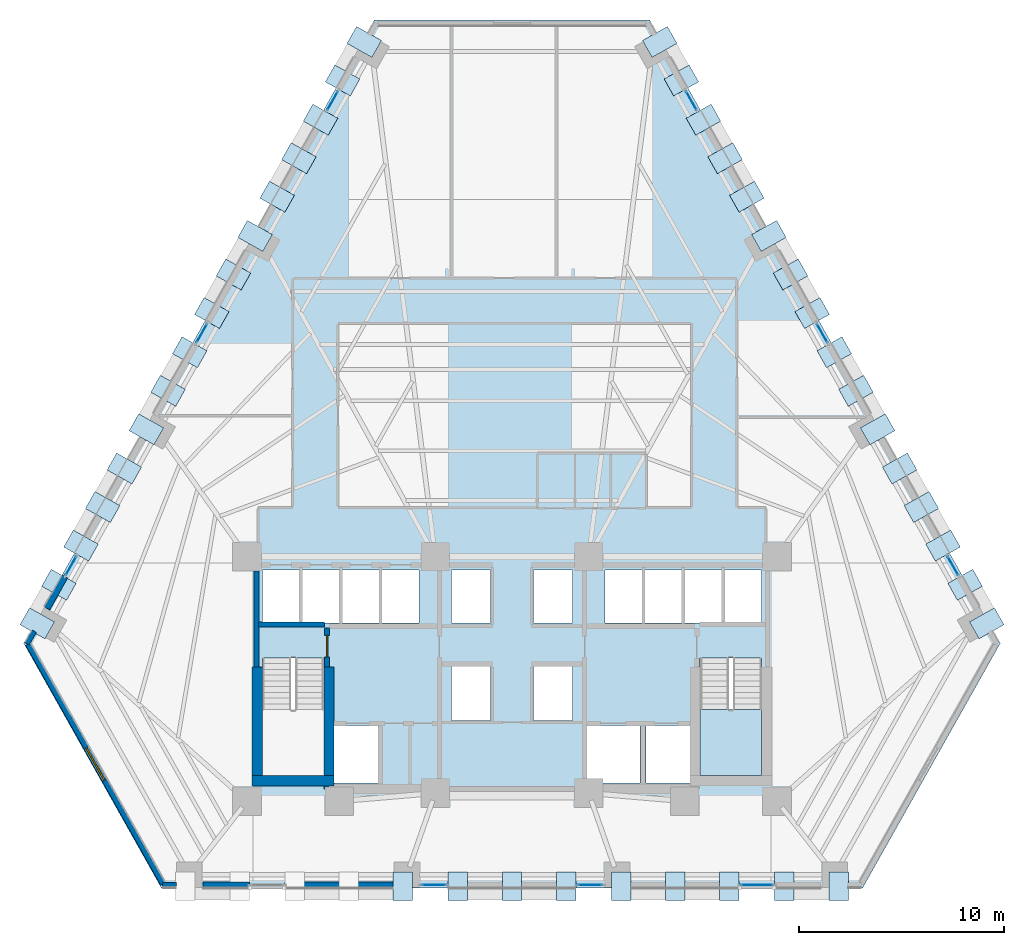
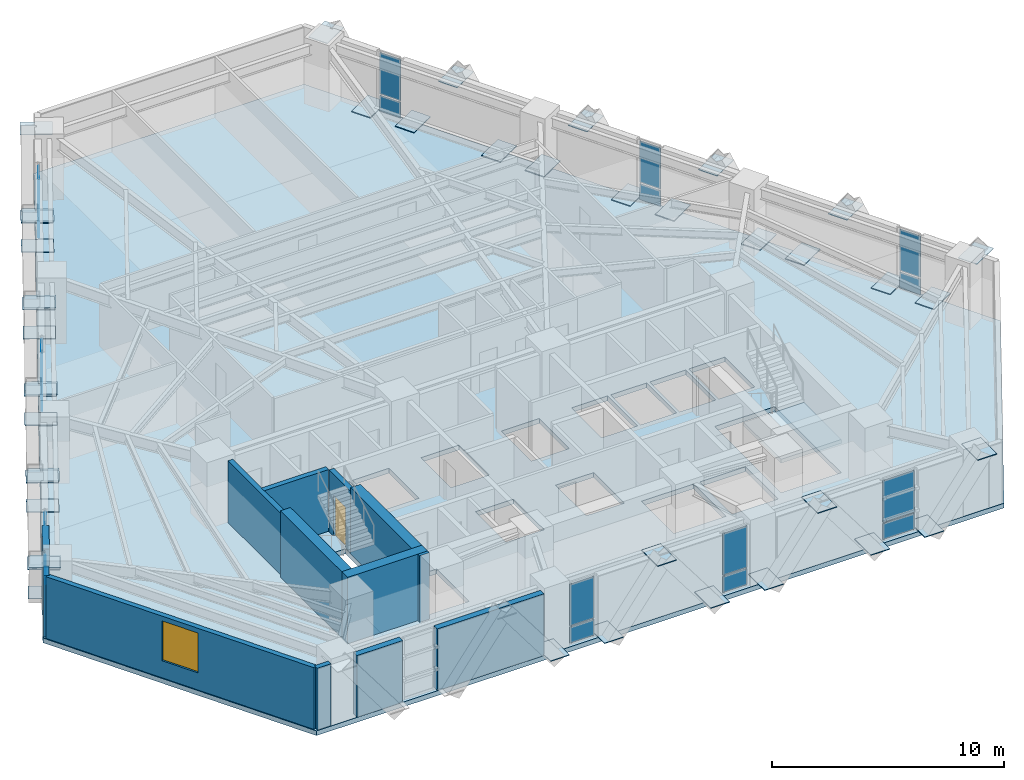
# One storey, part 6 of 13: 59 plates, 12 walls, 2 slabs, 1 door, 1 window, 2 openings, 10 elements without a shape of their own.
"""IFC4 building model written with IfcOpenShell, lengths in metres."""

from ifc_helpers import new_model, si_unit, direction, frame, frame_2d, origin, origin_2d, place, context, subcontext, project, spatial, polyline, rectangle, outline, extrude, material, layer, layer_set, type_object, element, fill, aggregate, save


model = new_model("IFC4")

# Units and contexts
model_context = context("Model", 3, precision=1e-05, world=origin(), true_north=direction((0.0, 1.0)))
body_context = subcontext(model_context, "Body", "Model", "MODEL_VIEW")
ifc_project = project(units=[si_unit("LENGTHUNIT", "METRE"), si_unit("AREAUNIT", "SQUARE_METRE"), si_unit("VOLUMEUNIT", "CUBIC_METRE"), si_unit("PLANEANGLEUNIT", "RADIAN"), si_unit("MASSUNIT", "GRAM", prefix="KILO")], contexts=[model_context])

# Site, building, storey
site_placement = place(None, origin())
site = spatial("IfcSite", under=ifc_project, at=site_placement, CompositionType="ELEMENT")
building_placement = place(site_placement, origin())
building = spatial("IfcBuilding", under=site, at=building_placement, Name="Quenlor Broadcast Tower", CompositionType="ELEMENT")
storey_placement = place(building_placement, frame((0.0, 0.0, 55.60009765625)))
storey = spatial("IfcBuildingStorey", under=building, at=storey_placement, Name="L14", CompositionType="ELEMENT", Elevation=55.60009765625)

# Curtain wall, plates
ifc_material_1 = material(Name="Architectural Terracotta and Low-E Glazing", Category="masonry")
curtain_wall_type = type_object("IfcCurtainWallType", Name="Unitised Terracotta Curtain Wall System Z1", PredefinedType="NOTDEFINED", material=ifc_material_1)
curtain_wall_1_placement = place(storey_placement, origin())
curtain_wall_1 = element("IfcCurtainWall", 1, at=curtain_wall_1_placement, inside=storey, type_object=curtain_wall_type, Name="L14 Curtain Wall CW1 (L14-SA-G1)", PredefinedType="NOTDEFINED")
ifc_material_2 = material(Name="Double Glazed Low-E Solar Glass", Category="glass")
ifc_layer_1 = layer(ifc_material_2, 0.031982421875)
ifc_layer_set_1 = layer_set([ifc_layer_1], Name="CW1 Double Glazed Vision Panel 32")
plate_type_1 = type_object("IfcPlateType", Name="CW1 Double Glazed Vision Panel 32", PredefinedType="CURTAIN_PANEL", material=ifc_layer_set_1)
plate_1_placement = place(storey_placement, frame((11.970703125, -20.840087890625, 0.079833984375), z_axis=(0.0, 0.0, 1.0), x_axis=(-1.0, 0.0, 0.0)))
plate_1 = element("IfcPlate", 2, at=plate_1_placement, type_object=plate_type_1, Name="CW1 panel 1.1", PredefinedType="CURTAIN_PANEL", context=body_context, shape_type="SweptSolid", body=[
    extrude(rectangle(XDim=1.568359375, YDim=0.031982421875, at=origin_2d()), origin(), (0.0, 0.0, 1.0), 0.830078125),
])
plate_2_placement = place(storey_placement, frame((11.970703125, -20.840087890625, 0.98974609375), z_axis=(0.0, 0.0, 1.0), x_axis=(-1.0, 0.0, 0.0)))
plate_2 = element("IfcPlate", 3, at=plate_2_placement, type_object=plate_type_1, Name="CW1 panel 1.2", PredefinedType="CURTAIN_PANEL", context=body_context, shape_type="SweptSolid", body=[
    extrude(rectangle(XDim=1.568359375, YDim=0.031982421875, at=origin_2d()), origin(), (0.0, 0.0, 1.0), 2.179931640625),
])
aggregate(curtain_wall_1, [plate_1, plate_2])

curtain_wall_2_placement = place(storey_placement, origin())
curtain_wall_2 = element("IfcCurtainWall", 4, at=curtain_wall_2_placement, inside=storey, type_object=curtain_wall_type, Name="L14 Curtain Wall CW1 (L14-S-G1)", PredefinedType="NOTDEFINED")
plate_3_placement = place(storey_placement, frame((3.81103515625, -20.840087890625, 0.079833984375), z_axis=(0.0, 0.0, 1.0), x_axis=(-1.0, 0.0, 0.0)))
plate_3 = element("IfcPlate", 5, at=plate_3_placement, type_object=plate_type_1, Name="CW1 panel 1.1", PredefinedType="CURTAIN_PANEL", context=body_context, shape_type="SweptSolid", body=[
    extrude(rectangle(XDim=1.209716796875, YDim=0.031982421875, at=origin_2d()), origin(), (0.0, 0.0, 1.0), 0.830078125),
])
plate_4_placement = place(storey_placement, frame((3.81103515625, -20.840087890625, 0.98974609375), z_axis=(0.0, 0.0, 1.0), x_axis=(-1.0, 0.0, 0.0)))
plate_4 = element("IfcPlate", 6, at=plate_4_placement, type_object=plate_type_1, Name="CW1 panel 1.2", PredefinedType="CURTAIN_PANEL", context=body_context, shape_type="SweptSolid", body=[
    extrude(rectangle(XDim=1.209716796875, YDim=0.031982421875, at=origin_2d()), origin(), (0.0, 0.0, 1.0), 2.179931640625),
])
aggregate(curtain_wall_2, [plate_3, plate_4])

curtain_wall_3_placement = place(storey_placement, origin())
curtain_wall_3 = element("IfcCurtainWall", 7, at=curtain_wall_3_placement, inside=storey, type_object=curtain_wall_type, Name="L14 Curtain Wall CW1 (L14-S-G2)", PredefinedType="NOTDEFINED")
plate_5_placement = place(storey_placement, frame((-3.81103515625, -20.840087890625, 0.079833984375), z_axis=(0.0, 0.0, 1.0), x_axis=(-1.0, 0.0, 0.0)))
plate_5 = element("IfcPlate", 8, at=plate_5_placement, type_object=plate_type_1, Name="CW1 panel 1.1", PredefinedType="CURTAIN_PANEL", context=body_context, shape_type="SweptSolid", body=[
    extrude(rectangle(XDim=1.209716796875, YDim=0.031982421875, at=origin_2d()), origin(), (0.0, 0.0, 1.0), 0.830078125),
])
plate_6_placement = place(storey_placement, frame((-3.81103515625, -20.840087890625, 0.98974609375), z_axis=(0.0, 0.0, 1.0), x_axis=(-1.0, 0.0, 0.0)))
plate_6 = element("IfcPlate", 9, at=plate_6_placement, type_object=plate_type_1, Name="CW1 panel 1.2", PredefinedType="CURTAIN_PANEL", context=body_context, shape_type="SweptSolid", body=[
    extrude(rectangle(XDim=1.209716796875, YDim=0.031982421875, at=origin_2d()), origin(), (0.0, 0.0, 1.0), 2.179931640625),
])
aggregate(curtain_wall_3, [plate_5, plate_6])

curtain_wall_4_placement = place(storey_placement, origin())
curtain_wall_4 = element("IfcCurtainWall", 10, at=curtain_wall_4_placement, inside=storey, type_object=curtain_wall_type, Name="L14 Curtain Wall CW1 (L14-NEA-G1)", PredefinedType="NOTDEFINED")
plate_7_placement = place(storey_placement, frame((8.766845703125, 17.48779296875, 0.079833984375), z_axis=(0.0, 0.0, 1.0), x_axis=(0.490214053392, -0.871602077703, 0.0)))
plate_7 = element("IfcPlate", 11, at=plate_7_placement, type_object=plate_type_1, Name="CW1 panel 1.1", PredefinedType="CURTAIN_PANEL", context=body_context, shape_type="SweptSolid", body=[
    extrude(rectangle(XDim=1.04736328125, YDim=0.031982421875, at=origin_2d()), origin(), (0.0, 0.0, 1.0), 0.830078125),
])
plate_8_placement = place(storey_placement, frame((8.766845703125, 17.48779296875, 0.98974609375), z_axis=(0.0, 0.0, 1.0), x_axis=(0.490214053392, -0.871602077703, 0.0)))
plate_8 = element("IfcPlate", 12, at=plate_8_placement, type_object=plate_type_1, Name="CW1 panel 1.2", PredefinedType="CURTAIN_PANEL", context=body_context, shape_type="SweptSolid", body=[
    extrude(rectangle(XDim=1.04736328125, YDim=0.031982421875, at=origin_2d()), origin(), (0.0, 0.0, 1.0), 2.179931640625),
])
aggregate(curtain_wall_4, [plate_7, plate_8])

curtain_wall_5_placement = place(storey_placement, origin())
curtain_wall_5 = element("IfcCurtainWall", 13, at=curtain_wall_5_placement, inside=storey, type_object=curtain_wall_type, Name="L14 Curtain Wall CW1 (L14-NEC-G1)", PredefinedType="NOTDEFINED")
plate_9_placement = place(storey_placement, frame((21.553955078125, -5.24462890625, 0.079833984375), z_axis=(0.0, 0.0, 1.0), x_axis=(0.490214053392, -0.871602077703, 0.0)))
plate_9 = element("IfcPlate", 14, at=plate_9_placement, type_object=plate_type_1, Name="CW1 panel 1.1", PredefinedType="CURTAIN_PANEL", context=body_context, shape_type="SweptSolid", body=[
    extrude(rectangle(XDim=1.04736328125, YDim=0.031982421875, at=origin_2d()), origin(), (0.0, 0.0, 1.0), 0.830078125),
])
plate_10_placement = place(storey_placement, frame((21.553955078125, -5.24462890625, 0.98974609375), z_axis=(0.0, 0.0, 1.0), x_axis=(0.490214053392, -0.871602077703, 0.0)))
plate_10 = element("IfcPlate", 15, at=plate_10_placement, type_object=plate_type_1, Name="CW1 panel 1.2", PredefinedType="CURTAIN_PANEL", context=body_context, shape_type="SweptSolid", body=[
    extrude(rectangle(XDim=1.04736328125, YDim=0.031982421875, at=origin_2d()), origin(), (0.0, 0.0, 1.0), 2.179931640625),
])
aggregate(curtain_wall_5, [plate_9, plate_10])

curtain_wall_6_placement = place(storey_placement, origin())
curtain_wall_6 = element("IfcCurtainWall", 16, at=curtain_wall_6_placement, inside=storey, type_object=curtain_wall_type, Name="L14 Curtain Wall CW1 (L14-NE-G1)", PredefinedType="NOTDEFINED")
plate_11_placement = place(storey_placement, frame((15.160400390625, 6.12158203125, 0.079833984375), z_axis=(0.0, 0.0, 1.0), x_axis=(0.49027696742, -0.871566690057, 0.0)))
plate_11 = element("IfcPlate", 17, at=plate_11_placement, type_object=plate_type_1, Name="CW1 panel 1.1", PredefinedType="CURTAIN_PANEL", context=body_context, shape_type="SweptSolid", body=[
    extrude(rectangle(XDim=1.04736328125, YDim=0.031982421875, at=origin_2d()), origin(), (0.0, 0.0, 1.0), 0.830078125),
])
plate_12_placement = place(storey_placement, frame((15.160400390625, 6.12158203125, 0.98974609375), z_axis=(0.0, 0.0, 1.0), x_axis=(0.49027696742, -0.871566690057, 0.0)))
plate_12 = element("IfcPlate", 18, at=plate_12_placement, type_object=plate_type_1, Name="CW1 panel 1.2", PredefinedType="CURTAIN_PANEL", context=body_context, shape_type="SweptSolid", body=[
    extrude(rectangle(XDim=1.04736328125, YDim=0.031982421875, at=origin_2d()), origin(), (0.0, 0.0, 1.0), 2.179931640625),
])
aggregate(curtain_wall_6, [plate_11, plate_12])

curtain_wall_7_placement = place(storey_placement, origin())
curtain_wall_7 = element("IfcCurtainWall", 19, at=curtain_wall_7_placement, inside=storey, type_object=curtain_wall_type, Name="L14 Curtain Wall CW1 (L14-NWA-G1)", PredefinedType="NOTDEFINED")
plate_13_placement = place(storey_placement, frame((-21.553955078125, -5.24462890625, 0.079833984375), z_axis=(0.0, 0.0, 1.0), x_axis=(0.490214053392, 0.871602077703, 0.0)))
plate_13 = element("IfcPlate", 20, at=plate_13_placement, type_object=plate_type_1, Name="CW1 panel 1.1", PredefinedType="CURTAIN_PANEL", context=body_context, shape_type="SweptSolid", body=[
    extrude(rectangle(XDim=1.04736328125, YDim=0.031982421875, at=origin_2d()), origin(), (0.0, 0.0, 1.0), 0.830078125),
])
plate_14_placement = place(storey_placement, frame((-21.553955078125, -5.24462890625, 0.98974609375), z_axis=(0.0, 0.0, 1.0), x_axis=(0.490214053392, 0.871602077703, 0.0)))
plate_14 = element("IfcPlate", 21, at=plate_14_placement, type_object=plate_type_1, Name="CW1 panel 1.2", PredefinedType="CURTAIN_PANEL", context=body_context, shape_type="SweptSolid", body=[
    extrude(rectangle(XDim=1.04736328125, YDim=0.031982421875, at=origin_2d()), origin(), (0.0, 0.0, 1.0), 2.179931640625),
])
aggregate(curtain_wall_7, [plate_13, plate_14])

curtain_wall_8_placement = place(storey_placement, origin())
curtain_wall_8 = element("IfcCurtainWall", 22, at=curtain_wall_8_placement, inside=storey, type_object=curtain_wall_type, Name="L14 Curtain Wall CW1 (L14-NWC-G1)", PredefinedType="NOTDEFINED")
plate_15_placement = place(storey_placement, frame((-8.766845703125, 17.48779296875, 0.079833984375), z_axis=(0.0, 0.0, 1.0), x_axis=(0.490214053392, 0.871602077703, 0.0)))
plate_15 = element("IfcPlate", 23, at=plate_15_placement, type_object=plate_type_1, Name="CW1 panel 1.1", PredefinedType="CURTAIN_PANEL", context=body_context, shape_type="SweptSolid", body=[
    extrude(rectangle(XDim=1.04736328125, YDim=0.031982421875, at=origin_2d()), origin(), (0.0, 0.0, 1.0), 0.830078125),
])
plate_16_placement = place(storey_placement, frame((-8.766845703125, 17.48779296875, 0.98974609375), z_axis=(0.0, 0.0, 1.0), x_axis=(0.490214053392, 0.871602077703, 0.0)))
plate_16 = element("IfcPlate", 24, at=plate_16_placement, type_object=plate_type_1, Name="CW1 panel 1.2", PredefinedType="CURTAIN_PANEL", context=body_context, shape_type="SweptSolid", body=[
    extrude(rectangle(XDim=1.04736328125, YDim=0.031982421875, at=origin_2d()), origin(), (0.0, 0.0, 1.0), 2.179931640625),
])
aggregate(curtain_wall_8, [plate_15, plate_16])

curtain_wall_9_placement = place(storey_placement, origin())
curtain_wall_9 = element("IfcCurtainWall", 25, at=curtain_wall_9_placement, inside=storey, type_object=curtain_wall_type, Name="L14 Curtain Wall CW1 (L14-NW-G1)", PredefinedType="NOTDEFINED")
plate_17_placement = place(storey_placement, frame((-15.160400390625, 6.12158203125, 0.079833984375), z_axis=(0.0, 0.0, 1.0), x_axis=(0.49027696742, 0.871566690057, 0.0)))
plate_17 = element("IfcPlate", 26, at=plate_17_placement, type_object=plate_type_1, Name="CW1 panel 1.1", PredefinedType="CURTAIN_PANEL", context=body_context, shape_type="SweptSolid", body=[
    extrude(rectangle(XDim=1.04736328125, YDim=0.031982421875, at=origin_2d()), origin(), (0.0, 0.0, 1.0), 0.830078125),
])
plate_18_placement = place(storey_placement, frame((-15.160400390625, 6.12158203125, 0.98974609375), z_axis=(0.0, 0.0, 1.0), x_axis=(0.49027696742, 0.871566690057, 0.0)))
plate_18 = element("IfcPlate", 27, at=plate_18_placement, type_object=plate_type_1, Name="CW1 panel 1.2", PredefinedType="CURTAIN_PANEL", context=body_context, shape_type="SweptSolid", body=[
    extrude(rectangle(XDim=1.04736328125, YDim=0.031982421875, at=origin_2d()), origin(), (0.0, 0.0, 1.0), 2.179931640625),
])
aggregate(curtain_wall_9, [plate_17, plate_18])

# Stair, slab
ifc_material_3 = material(Name="Precast concrete C40/50", Category="concrete")
stair_type = type_object("IfcStairType", Name="Precast Concrete C40/50 Dogleg Stair H350", PredefinedType="HALF_TURN_STAIR", material=ifc_material_3)
stair_placement = place(storey_placement, origin())
stair = element("IfcStair", 28, at=stair_placement, inside=storey, type_object=stair_type, Name="L14 East Core Fire-Isolated Exit Stair ST-2", PredefinedType="HALF_TURN_STAIR")
ifc_material_4 = material(Name="Precast concrete C40/50", Category="concrete")
ifc_layer_2 = layer(ifc_material_4, 0.199951171875)
ifc_layer_set_2 = layer_set([ifc_layer_2], Name="Precast Concrete C40/50 Stair Landing Slab 200")
slab_type_1 = type_object("IfcSlabType", Name="Precast Concrete C40/50 Stair Landing Slab 200", PredefinedType="LANDING", material=ifc_layer_set_2)
slab_1_placement = place(storey_placement, frame((0.0, 0.0, 1.5498046875)))
slab_1 = element("IfcSlab", 29, at=slab_1_placement, type_object=slab_type_1, Name="ST-2 landing 1", PredefinedType="LANDING", context=body_context, shape_type="SweptSolid", body=[
    extrude(outline(polyline([(9.199951171875, -12.27001953125), (9.199951171875, -15.5), (12.199951171875, -15.5), (12.199951171875, -12.27001953125), (9.199951171875, -12.27001953125)])), origin(), (0.0, 0.0, 1.0), 0.2001953125),
])
aggregate(stair, [slab_1])

# Slab
ifc_material_5 = material(Name="Concrete C40/50", Category="concrete")
ifc_layer_3 = layer(ifc_material_5, 0.25)
ifc_layer_set_3 = layer_set([ifc_layer_3], Name="Tower Composite Concrete C40/50 Slab 250")
slab_type_2 = type_object("IfcSlabType", Name="Tower Composite Concrete C40/50 Slab 250", PredefinedType="FLOOR", material=ifc_layer_set_3)
slab_2_placement = place(storey_placement, frame((0.0, 0.0, -0.25)))
element("IfcSlab", 30, at=slab_2_placement, inside=storey, type_object=slab_type_2, Name="L14 Structural Floor Slab", PredefinedType="FLOOR", context=body_context, shape_type="SweptSolid", body=[
    extrude(outline(polyline([(17.135986328125, -21.0), (23.867919921875, -9.031982421875), (6.73193359375, 21.431884765625), (-6.73193359375, 21.431884765625), (-23.867919921875, -9.031982421875), (-17.135986328125, -21.0), (17.135986328125, -21.0)]), holes=[polyline([(-12.199951171875, -9.758056640625), (-12.199951171875, -15.5), (-9.199951171875, -15.5), (-9.199951171875, -9.758056640625), (-12.199951171875, -9.758056640625)]), polyline([(9.199951171875, -9.758056640625), (9.199951171875, -15.5), (12.199951171875, -15.5), (12.199951171875, -9.758056640625), (9.199951171875, -9.758056640625)]), polyline([(-12.199951171875, -8.050048828125), (-10.39990234375, -8.050048828125), (-10.39990234375, -5.449951171875), (-12.199951171875, -5.449951171875), (-12.199951171875, -8.050048828125)]), polyline([(-10.25, -8.050048828125), (-8.449951171875, -8.050048828125), (-8.449951171875, -5.449951171875), (-10.25, -5.449951171875), (-10.25, -8.050048828125)]), polyline([(-8.300048828125, -8.050048828125), (-6.5, -8.050048828125), (-6.5, -5.449951171875), (-8.300048828125, -5.449951171875), (-8.300048828125, -8.050048828125)]), polyline([(-6.35009765625, -8.050048828125), (-4.550048828125, -8.050048828125), (-4.550048828125, -5.449951171875), (-6.35009765625, -5.449951171875), (-6.35009765625, -8.050048828125)]), polyline([(-2.949951171875, -8.050048828125), (-1.050048828125, -8.050048828125), (-1.050048828125, -5.449951171875), (-2.949951171875, -5.449951171875), (-2.949951171875, -8.050048828125)]), polyline([(1.050048828125, -8.050048828125), (2.949951171875, -8.050048828125), (2.949951171875, -5.449951171875), (1.050048828125, -5.449951171875), (1.050048828125, -8.050048828125)]), polyline([(-2.949951171875, -12.800048828125), (-1.050048828125, -12.800048828125), (-1.050048828125, -10.14990234375), (-2.949951171875, -10.14990234375), (-2.949951171875, -12.800048828125)]), polyline([(1.050048828125, -12.800048828125), (2.949951171875, -12.800048828125), (2.949951171875, -10.14990234375), (1.050048828125, -10.14990234375), (1.050048828125, -12.800048828125)]), polyline([(4.550048828125, -8.050048828125), (6.35009765625, -8.050048828125), (6.35009765625, -5.449951171875), (4.550048828125, -5.449951171875), (4.550048828125, -8.050048828125)]), polyline([(6.5, -8.050048828125), (8.300048828125, -8.050048828125), (8.300048828125, -5.449951171875), (6.5, -5.449951171875), (6.5, -8.050048828125)]), polyline([(8.449951171875, -8.050048828125), (10.25, -8.050048828125), (10.25, -5.449951171875), (8.449951171875, -5.449951171875), (8.449951171875, -8.050048828125)]), polyline([(10.39990234375, -8.050048828125), (12.199951171875, -8.050048828125), (12.199951171875, -5.449951171875), (10.39990234375, -5.449951171875), (10.39990234375, -8.050048828125)]), polyline([(-8.85009765625, -15.85009765625), (-6.550048828125, -15.85009765625), (-6.550048828125, -13.050048828125), (-8.85009765625, -13.050048828125), (-8.85009765625, -15.85009765625)]), polyline([(6.550048828125, -15.85009765625), (8.85009765625, -15.85009765625), (8.85009765625, -13.050048828125), (6.550048828125, -13.050048828125), (6.550048828125, -15.85009765625)]), polyline([(3.64990234375, -15.85009765625), (6.25, -15.85009765625), (6.25, -13.050048828125), (3.64990234375, -13.050048828125), (3.64990234375, -15.85009765625)])]), origin(), (0.0, 0.0, 1.0), 0.25),
])

# Plates
ifc_material_6 = material(Name="Steel S355", Category="steel")
ifc_layer_4 = layer(ifc_material_6, 0.035888671875)
ifc_layer_set_4 = layer_set([ifc_layer_4], Name="Transfer Truss Steel S355 Gusset Node Plate 1400x950x36")
plate_type_2 = type_object("IfcPlateType", Name="Transfer Truss Steel S355 Gusset Node Plate 1400x950x36", PredefinedType="SHEET", material=ifc_layer_set_4)
for number, where, z_axis, x_axis, name in (
    (31, (10.624755859375, -20.89990234375, 0.0419921875), (0.0, 0.0, 1.0), (0.0, -1.0, 0.0), "L14 Lattice Tie Gusset Node S-B2"),
    (32, (7.98046875, -20.89990234375, 3.18212890625), (0.0, 0.0, 1.0), (0.0, -1.0, 0.0), "L14 Lattice Tie Gusset Node S-T3"),
    (33, (13.31689453125, -20.89990234375, 0.0419921875), (0.0, 0.0, 1.0), (0.0, -1.0, 0.0), "L14 Lattice Tie Gusset Node S-B1"),
    (34, (15.9609375, -20.89990234375, 3.18212890625), (0.0, 0.0, 1.0), (0.0, -1.0, 0.0), "L14 Lattice Tie Gusset Node S-T0"),
    (35, (2.644287109375, -20.89990234375, 0.0419921875), (0.0, 0.0, 1.0), (0.0, -1.0, 0.0), "L14 Lattice Tie Gusset Node S-B5"),
    (36, (0.0, -20.89990234375, 3.18212890625), (0.0, 0.0, 1.0), (0.0, -1.0, 0.0), "L14 Lattice Tie Gusset Node S-T6"),
    (37, (5.336181640625, -20.89990234375, 0.0419921875), (0.0, 0.0, 1.0), (0.0, -1.0, 0.0), "L14 Lattice Tie Gusset Node S-B4"),
    (38, (-5.336181640625, -20.89990234375, 0.0419921875), (0.0, 0.0, 1.0), (0.0, -1.0, 0.0), "L14 Lattice Tie Gusset Node S-B8"),
    (39, (-2.644287109375, -20.89990234375, 0.0419921875), (0.0, 0.0, 1.0), (0.0, -1.0, 0.0), "L14 Lattice Tie Gusset Node S-B7"),
    (40, (9.3583984375, 16.558837890625, 0.0419921875), (0.0, 0.0, 1.0), (0.871556314255, 0.490295412055, 0.0), "L14 Lattice Tie Gusset Node NE-B2"),
    (41, (10.41748046875, 14.67578125, 3.18212890625), (0.0, 0.0, 1.0), (0.871556314255, 0.490295412055, 0.0), "L14 Lattice Tie Gusset Node NE-T3"),
    (42, (8.280029296875, 18.475830078125, 0.0419921875), (0.0, 0.0, 1.0), (0.871556314255, 0.490295412055, 0.0), "L14 Lattice Tie Gusset Node NE-B1"),
    (43, (7.220947265625, 20.35888671875, 3.18212890625), (0.0, 0.0, 1.0), (0.871556314255, 0.490295412055, 0.0), "L14 Lattice Tie Gusset Node NE-T0"),
    (44, (12.55517578125, 10.87548828125, 0.0419921875), (0.0, 0.0, 1.0), (0.871556314255, 0.490295412055, 0.0), "L14 Lattice Tie Gusset Node NE-B5"),
    (45, (13.614501953125, 8.99267578125, 3.18212890625), (0.0, 0.0, 1.0), (0.871556314255, 0.490295412055, 0.0), "L14 Lattice Tie Gusset Node NE-T6"),
    (46, (11.476806640625, 12.792724609375, 0.0419921875), (0.0, 0.0, 1.0), (0.871556314255, 0.490295412055, 0.0), "L14 Lattice Tie Gusset Node NE-B4"),
    (47, (15.751953125, 5.1923828125, 0.0419921875), (0.0, 0.0, 1.0), (0.871556314255, 0.490295412055, 0.0), "L14 Lattice Tie Gusset Node NE-B8"),
    (48, (16.811279296875, 3.309326171875, 3.18212890625), (0.0, 0.0, 1.0), (0.871556314255, 0.490295412055, 0.0), "L14 Lattice Tie Gusset Node NE-T9"),
    (49, (14.673583984375, 7.109619140625, 0.0419921875), (0.0, 0.0, 1.0), (0.871556314255, 0.490295412055, 0.0), "L14 Lattice Tie Gusset Node NE-B7"),
    (50, (18.94873046875, -0.49072265625, 0.0419921875), (0.0, 0.0, 1.0), (0.871556314255, 0.490295412055, 0.0), "L14 Lattice Tie Gusset Node NE-B11"),
    (51, (20.008056640625, -2.373779296875, 3.18212890625), (0.0, 0.0, 1.0), (0.871556314255, 0.490295412055, 0.0), "L14 Lattice Tie Gusset Node NE-T12"),
    (52, (17.870361328125, 1.426513671875, 0.0419921875), (0.0, 0.0, 1.0), (0.871556314255, 0.490295412055, 0.0), "L14 Lattice Tie Gusset Node NE-B10"),
    (53, (22.1455078125, -6.173828125, 0.0419921875), (0.0, 0.0, 1.0), (0.871556314255, 0.490295412055, 0.0), "L14 Lattice Tie Gusset Node NE-B14"),
    (54, (23.20458984375, -8.056884765625, 3.18212890625), (0.0, 0.0, 1.0), (0.871556314255, 0.490295412055, 0.0), "L14 Lattice Tie Gusset Node NE-T15"),
    (55, (21.067138671875, -4.256591796875, 0.0419921875), (0.0, 0.0, 1.0), (0.871556314255, 0.490295412055, 0.0), "L14 Lattice Tie Gusset Node NE-B13"),
    (56, (-21.067138671875, -4.256591796875, 0.0419921875), (0.0, 0.0, 1.0), (-0.871556314255, 0.490295412055, 0.0), "L14 Lattice Tie Gusset Node NW-B2"),
    (57, (-20.008056640625, -2.373779296875, 3.18212890625), (0.0, 0.0, 1.0), (-0.871556314255, 0.490295412055, 0.0), "L14 Lattice Tie Gusset Node NW-T3"),
    (58, (-22.1455078125, -6.173828125, 0.0419921875), (0.0, 0.0, 1.0), (-0.871556314255, 0.490295412055, 0.0), "L14 Lattice Tie Gusset Node NW-B1"),
    (59, (-23.20458984375, -8.056884765625, 3.18212890625), (0.0, 0.0, 1.0), (-0.871556314255, 0.490295412055, 0.0), "L14 Lattice Tie Gusset Node NW-T0"),
    (60, (-17.870361328125, 1.426513671875, 0.0419921875), (0.0, 0.0, 1.0), (-0.871556314255, 0.490295412055, 0.0), "L14 Lattice Tie Gusset Node NW-B5"),
    (61, (-16.811279296875, 3.309326171875, 3.18212890625), (0.0, 0.0, 1.0), (-0.871556314255, 0.490295412055, 0.0), "L14 Lattice Tie Gusset Node NW-T6"),
    (62, (-18.94873046875, -0.49072265625, 0.0419921875), (0.0, 0.0, 1.0), (-0.871556314255, 0.490295412055, 0.0), "L14 Lattice Tie Gusset Node NW-B4"),
    (63, (-14.673583984375, 7.109619140625, 0.0419921875), (0.0, 0.0, 1.0), (-0.871556314255, 0.490295412055, 0.0), "L14 Lattice Tie Gusset Node NW-B8"),
    (64, (-13.614501953125, 8.99267578125, 3.18212890625), (0.0, 0.0, 1.0), (-0.871556314255, 0.490295412055, 0.0), "L14 Lattice Tie Gusset Node NW-T9"),
    (65, (-15.751953125, 5.1923828125, 0.0419921875), (0.0, 0.0, 1.0), (-0.871556314255, 0.490295412055, 0.0), "L14 Lattice Tie Gusset Node NW-B7"),
    (66, (-11.476806640625, 12.792724609375, 0.0419921875), (0.0, 0.0, 1.0), (-0.871556314255, 0.490295412055, 0.0), "L14 Lattice Tie Gusset Node NW-B11"),
    (67, (-10.41748046875, 14.67578125, 3.18212890625), (0.0, 0.0, 1.0), (-0.871556314255, 0.490295412055, 0.0), "L14 Lattice Tie Gusset Node NW-T12"),
    (68, (-12.55517578125, 10.87548828125, 0.0419921875), (0.0, 0.0, 1.0), (-0.871556314255, 0.490295412055, 0.0), "L14 Lattice Tie Gusset Node NW-B10"),
    (69, (-8.280029296875, 18.475830078125, 0.0419921875), (0.0, 0.0, 1.0), (-0.871556314255, 0.490295412055, 0.0), "L14 Lattice Tie Gusset Node NW-B14"),
    (70, (-7.220947265625, 20.35888671875, 3.18212890625), (0.0, 0.0, 1.0), (-0.871556314255, 0.490295412055, 0.0), "L14 Lattice Tie Gusset Node NW-T15"),
    (71, (-9.3583984375, 16.558837890625, 0.0419921875), (0.0, 0.0, 1.0), (-0.871556314255, 0.490295412055, 0.0), "L14 Lattice Tie Gusset Node NW-B13"),
):
    element("IfcPlate", number, at=place(storey_placement, frame(where, z_axis=z_axis, x_axis=x_axis)), inside=storey, type_object=plate_type_2, Name=name, PredefinedType="SHEET", context=body_context, shape_type="SweptSolid", body=[
        extrude(rectangle(XDim=1.39990234375, YDim=0.949951171875, at=origin_2d()), origin(), (0.0, 0.0, 1.0), 0.035888671875),
    ])

# Walls
ifc_material_7 = material(Name="Concrete C65/80", Category="concrete")
ifc_layer_5 = layer(ifc_material_7, 0.5)
ifc_layer_set_5 = layer_set([ifc_layer_5], Name="Core Concrete C65/80 Shear Wall 500")
wall_type_1 = type_object("IfcWallType", Name="Core Concrete C65/80 Shear Wall 500", PredefinedType="SHEAR", material=ifc_layer_set_5)
wall_1_placement = place(storey_placement, frame((-12.699951171875, -15.75, 0.0), z_axis=(0.0, 0.0, 1.0), x_axis=(1.0, 0.0, 0.0)))
element("IfcWall", 72, at=wall_1_placement, inside=storey, type_object=wall_type_1, Name="L14 Core Shear Wall WS-W1", PredefinedType="SHEAR", context=body_context, shape_type="SweptSolid", body=[
    extrude(rectangle(XDim=4.0, YDim=0.5, at=frame_2d((2.0, 0.0))), origin(), (0.0, 0.0, 1.0), 3.5),
])
wall_2_placement = place(storey_placement, frame((-12.449951171875, -15.75, 0.0), z_axis=(0.0, 0.0, 1.0), x_axis=(0.0, 1.0, 0.0)))
element("IfcWall", 73, at=wall_2_placement, inside=storey, type_object=wall_type_1, Name="L14 Core Shear Wall WF-W", PredefinedType="SHEAR", context=body_context, shape_type="SweptSolid", body=[
    extrude(rectangle(XDim=5.550048828125, YDim=0.5, at=frame_2d((2.77490234375, 0.0))), origin(), (0.0, 0.0, 1.0), 3.5),
])
wall_3_placement = place(storey_placement, frame((-8.949951171875, -16.14990234375, 0.0), z_axis=(0.0, 0.0, 1.0), x_axis=(0.0, 1.0, 0.0)))
element("IfcWall", 74, at=wall_3_placement, inside=storey, type_object=wall_type_1, Name="L14 Core Shear Wall WI-W", PredefinedType="SHEAR", context=body_context, shape_type="SweptSolid", body=[
    extrude(rectangle(XDim=5.949951171875, YDim=0.5, at=frame_2d((2.97509765625, 0.0))), origin(), (0.0, 0.0, 1.0), 3.5),
])

# Wall, opening, door
ifc_material_8 = material(Name="Concrete C40/50", Category="concrete")
ifc_layer_6 = layer(ifc_material_8, 0.25)
ifc_layer_set_6 = layer_set([ifc_layer_6], Name="Fire Rated Concrete C40/50 Core Wall 250")
wall_type_2 = type_object("IfcWallType", Name="Fire Rated Concrete C40/50 Core Wall 250", PredefinedType="PARTITIONING", material=ifc_layer_set_6)
wall_4_placement = place(storey_placement, frame((-9.0400390625, -10.179931640625, 0.0), z_axis=(0.0, 0.0, 1.0), x_axis=(0.0, 1.0, 0.0)))
wall_4 = element("IfcWall", 75, at=wall_4_placement, inside=storey, type_object=wall_type_2, Name="L14 Interior Wall CW-ST1-DR", PredefinedType="PARTITIONING", context=body_context, shape_type="SweptSolid", body=[
    extrude(rectangle(XDim=1.89990234375, YDim=0.25, at=frame_2d((0.949951171875, 0.0))), origin(), (0.0, 0.0, 1.0), 3.25),
])
opening_1_placement = place(wall_4_placement, frame((0.47998046875, 0.0, 0.0)))
opening_1 = element("IfcOpeningElement", 76, at=opening_1_placement, cuts=wall_4, Name="Opening FD-1", PredefinedType="OPENING", context=body_context, shape_type="SweptSolid", body=[
    extrude(rectangle(XDim=1.050048828125, YDim=2.14990234375, at=frame_2d((0.52490234375, 1.074951171875))), frame((0.0, 0.135009765625, 0.0), z_axis=(0.0, -1.0, 0.0), x_axis=(1.0, 0.0, 0.0)), (0.0, 0.0, 1.0), 0.27001953125),
])
ifc_material_9 = material(Name="Fire Rated Steel Door Leaf", Category="steel")
door_type = type_object("IfcDoorType", Name="Fire Isolated Stair Door 1050x2150", OperationType="NOTDEFINED", PredefinedType="DOOR", material=ifc_material_9)
door_placement = place(opening_1_placement, origin())
door = element("IfcDoor", 77, at=door_placement, inside=storey, type_object=door_type, Name="L14 Door DR-ST1", OperationType="SINGLE_SWING_LEFT", OverallHeight=2.14990234375, OverallWidth=1.050048828125, PredefinedType="DOOR", context=body_context, shape_type="SweptSolid", body=[
    extrude(rectangle(XDim=1.050048828125, YDim=2.14990234375, at=frame_2d((0.52490234375, 1.074951171875))), frame((0.0, 0.02490234375, 0.0), z_axis=(0.0, -1.0, 0.0), x_axis=(1.0, 0.0, 0.0)), (0.0, 0.0, 1.0), 0.050048828125),
])
fill(opening_1, door)

# Walls
wall_5_placement = place(storey_placement, frame((-12.3798828125, -8.1201171875, 0.0), z_axis=(0.0, 0.0, 1.0), x_axis=(1.0, 0.0, 0.0)))
element("IfcWall", 78, at=wall_5_placement, inside=storey, type_object=wall_type_2, Name="L14 Interior Wall CW-ST1-N", PredefinedType="PARTITIONING", context=body_context, shape_type="SweptSolid", body=[
    extrude(rectangle(XDim=3.219970703125, YDim=0.25, at=frame_2d((1.60986328125, 0.0))), origin(), (0.0, 0.0, 1.0), 3.25),
])
wall_6_placement = place(storey_placement, frame((-12.47998046875, -10.179931640625, 0.0), z_axis=(0.0, 0.0, 1.0), x_axis=(0.0, 1.0, 0.0)))
element("IfcWall", 79, at=wall_6_placement, inside=storey, type_object=wall_type_2, Name="L14 Interior Wall CW-ST1-W2", PredefinedType="PARTITIONING", context=body_context, shape_type="SweptSolid", body=[
    extrude(rectangle(XDim=4.677978515625, YDim=0.25, at=frame_2d((2.3388671875, 0.0))), origin(), (0.0, 0.0, 1.0), 3.25),
])
ifc_material_10 = material(Name="Precast concrete C40/50", Category="concrete")
ifc_layer_7 = layer(ifc_material_10, 0.239990234375)
ifc_layer_set_7 = layer_set([ifc_layer_7], Name="Terrace Threshold Precast Concrete C40/50 Wall 240")
wall_type_3 = type_object("IfcWallType", Name="Terrace Threshold Precast Concrete C40/50 Wall 240", PredefinedType="STANDARD", material=ifc_layer_set_7)
wall_7_placement = place(storey_placement, frame((-16.39501953125, -20.840087890625, 0.0), z_axis=(0.0, 0.0, 1.0), x_axis=(-1.0, 0.0, 0.0)))
element("IfcWall", 80, at=wall_7_placement, inside=storey, type_object=wall_type_3, Name="L14 Exterior Wall L14-SHD-SS1", PredefinedType="STANDARD", context=body_context, shape_type="SweptSolid", body=[
    extrude(rectangle(XDim=0.680908203125, YDim=0.239990234375, at=frame_2d((0.34033203125, 0.0))), origin(), (0.0, 0.0, 1.0), 3.25),
])
wall_8_placement = place(storey_placement, frame((-23.69921875, -9.05810546875, 0.0), z_axis=(0.0, 0.0, 1.0), x_axis=(0.490523074758, 0.871428203084, 0.0)))
element("IfcWall", 81, at=wall_8_placement, inside=storey, type_object=wall_type_3, Name="L14 Exterior Wall L14-SHD-NWS0", PredefinedType="STANDARD", context=body_context, shape_type="SweptSolid", body=[
    extrude(rectangle(XDim=0.708251953125, YDim=0.239990234375, at=frame_2d((0.35400390625, 0.0))), origin(), (0.0, 0.0, 1.0), 3.25),
])

# Wall, opening, window
wall_9_placement = place(storey_placement, frame((-23.659912109375, -9.07568359375, 0.0), z_axis=(0.0, 0.0, 1.0), x_axis=(0.490268135177, -0.871571658345, 0.0)))
wall_9 = element("IfcWall", 82, at=wall_9_placement, inside=storey, type_object=wall_type_3, Name="L14 Exterior Wall L14-CNR-04", PredefinedType="STANDARD", context=body_context, shape_type="SweptSolid", body=[
    extrude(rectangle(XDim=13.44775390625, YDim=0.239990234375, at=frame_2d((6.723876953125, 0.0))), origin(), (0.0, 0.0, 1.0), 3.25),
])
opening_2_placement = place(wall_9_placement, frame((5.823974609375, 0.0, 0.89990234375)))
opening_2 = element("IfcOpeningElement", 83, at=opening_2_placement, cuts=wall_9, Name="Opening WN-1", PredefinedType="OPENING", context=body_context, shape_type="SweptSolid", body=[
    extrude(rectangle(XDim=1.800048828125, YDim=2.10009765625, at=frame_2d((0.89990234375, 1.050048828125))), frame((0.0, 0.1298828125, 0.0), z_axis=(0.0, -1.0, 0.0), x_axis=(1.0, 0.0, 0.0)), (0.0, 0.0, 1.0), 0.260009765625),
])
ifc_material_11 = material(Name="Thermally Broken Aluminium and Low-E Glass", Category="aluminium")
window_type = type_object("IfcWindowType", Name="Tower Acoustic Vision Window 1800x2100", PartitioningType="SINGLE_PANEL", PredefinedType="WINDOW", material=ifc_material_11)
window_placement = place(opening_2_placement, origin())
window = element("IfcWindow", 84, at=window_placement, inside=storey, type_object=window_type, Name="L14 Corner Chamfer Window 4", OverallHeight=2.10009765625, OverallWidth=1.800048828125, PartitioningType="SINGLE_PANEL", PredefinedType="WINDOW", context=body_context, shape_type="SweptSolid", body=[
    extrude(rectangle(XDim=1.800048828125, YDim=2.10009765625, at=frame_2d((0.89990234375, 1.050048828125))), frame((0.0, 0.030029296875, 0.0), z_axis=(0.0, -1.0, 0.0), x_axis=(1.0, 0.0, 0.0)), (0.0, 0.0, 1.0), 0.06005859375),
])
fill(opening_2, window)

# Walls
ifc_material_12 = material(Name="Precast concrete C40/50", Category="concrete")
ifc_layer_8 = layer(ifc_material_12, 0.300048828125)
ifc_layer_set_8 = layer_set([ifc_layer_8], Name="Terracotta Precast Concrete C40/50 Spandrel Wall 300")
wall_type_4 = type_object("IfcWallType", Name="Terracotta Precast Concrete C40/50 Spandrel Wall 300", PredefinedType="STANDARD", material=ifc_layer_set_8)
wall_10_placement = place(storey_placement, frame((-5.790771484375, -20.840087890625, 0.0), z_axis=(0.0, 0.0, 1.0), x_axis=(-1.0, 0.0, 0.0)))
element("IfcWall", 85, at=wall_10_placement, inside=storey, type_object=wall_type_4, Name="L14 Exterior Wall L14-SC-SP1", PredefinedType="STANDARD", context=body_context, shape_type="SweptSolid", body=[
    extrude(rectangle(XDim=5.31591796875, YDim=0.300048828125, at=frame_2d((2.657958984375, 0.0))), origin(), (0.0, 0.0, 1.0), 3.25),
])
wall_11_placement = place(storey_placement, frame((-12.8349609375, -20.840087890625, 0.0), z_axis=(0.0, 0.0, 1.0), x_axis=(-1.0, 0.0, 0.0)))
element("IfcWall", 86, at=wall_11_placement, inside=storey, type_object=wall_type_4, Name="L14 Exterior Wall L14-SC-SP2", PredefinedType="STANDARD", context=body_context, shape_type="SweptSolid", body=[
    extrude(rectangle(XDim=2.280029296875, YDim=0.300048828125, at=frame_2d((1.14013671875, 0.0))), origin(), (0.0, 0.0, 1.0), 3.25),
])
wall_12_placement = place(storey_placement, frame((-22.724365234375, -7.3251953125, 0.0), z_axis=(0.0, 0.0, 1.0), x_axis=(0.490274239922, 0.871568224334, 0.0)))
element("IfcWall", 87, at=wall_12_placement, inside=storey, type_object=wall_type_4, Name="L14 Exterior Wall L14-NWA-SP1", PredefinedType="STANDARD", context=body_context, shape_type="SweptSolid", body=[
    extrude(rectangle(XDim=1.783203125, YDim=0.300048828125, at=frame_2d((0.8916015625, 0.0))), origin(), (0.0, 0.0, 1.0), 3.25),
])

save(model, "model.ifc")
